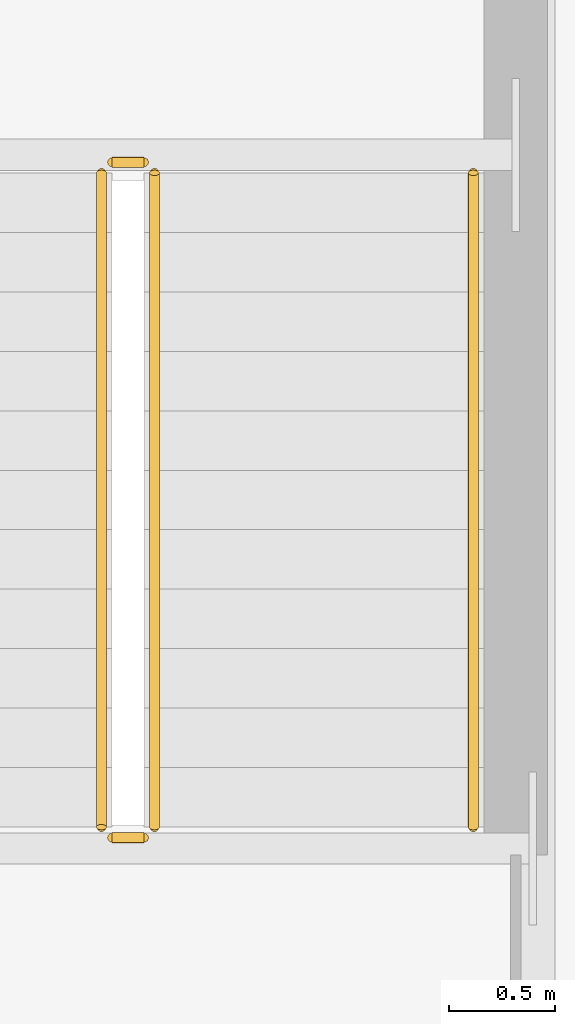
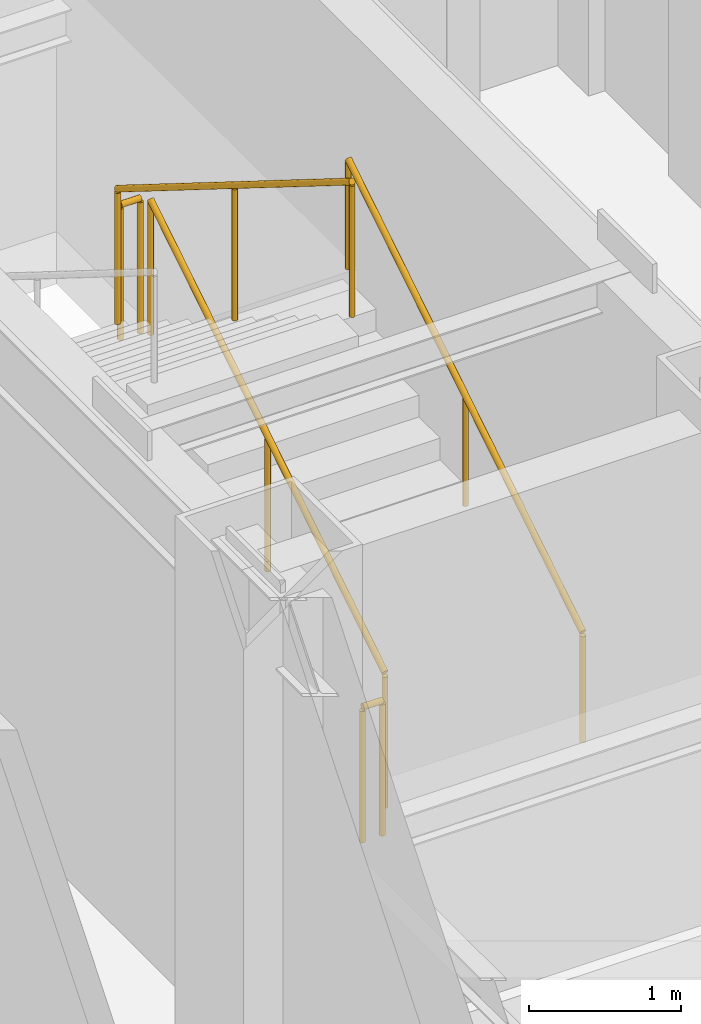
# One storey, part 10 of 11: 5 railings.
"""IFC4 building model written with IfcOpenShell, lengths in metres."""

from ifc_helpers import new_model, si_unit, direction, frame, origin, origin_2d, place, context, subcontext, project, spatial, circle, extrude, material, type_object, element, save


model = new_model("IFC4")

# Units and contexts
model_context = context("Model", 3, precision=1e-05, world=origin(), true_north=direction((0.0, 1.0)))
body_context = subcontext(model_context, "Body", "Model", "MODEL_VIEW")
ifc_project = project(units=[si_unit("LENGTHUNIT", "METRE"), si_unit("AREAUNIT", "SQUARE_METRE"), si_unit("VOLUMEUNIT", "CUBIC_METRE"), si_unit("PLANEANGLEUNIT", "RADIAN"), si_unit("MASSUNIT", "GRAM", prefix="KILO")], contexts=[model_context])

# Site, building, storey
site_placement = place(None, origin())
site = spatial("IfcSite", under=ifc_project, at=site_placement, CompositionType="ELEMENT")
building_placement = place(site_placement, origin())
building = spatial("IfcBuilding", under=site, at=building_placement, Name="Khamvora Tower", CompositionType="ELEMENT")
storey_placement = place(building_placement, frame((0.0, 0.0, 269.449951171875)))
storey = spatial("IfcBuildingStorey", under=building, at=storey_placement, Name="L69", CompositionType="ELEMENT", Elevation=269.449951171875)

# Railings
ifc_material_1 = material(Name="Brushed Stainless Steel 316", Category="steel")
railing_type_1 = type_object("IfcRailingType", Name="RAL-HDR-920", PredefinedType="HANDRAIL", material=ifc_material_1)
railing_1_placement = place(storey_placement, frame((32.449951171875, 29.85009765625, 0.175048828125)))
element("IfcRailing", 1, at=railing_1_placement, inside=storey, type_object=railing_type_1, Name="L69 ST-02 stair handrail 1", PredefinedType="HANDRAIL", context=body_context, shape_type="SweptSolid", body=[
    extrude(circle(Radius=0.02392578125, at=origin_2d()), frame((0.0, 0.0, 0.8759765625), z_axis=(0.0, 0.847979421464, 0.530029150871), x_axis=(-1.0, 0.0, 0.0)), (0.0, 0.0, 1.0), 3.632080078125),
    extrude(circle(Radius=0.02099609375, at=origin_2d()), origin(), (0.0, 0.0, 1.0), 0.851806640625),
    extrude(circle(Radius=0.02099609375, at=origin_2d()), frame((0.0, 1.5400390625, 0.96240234375)), (0.0, 0.0, 1.0), 0.851806640625),
    extrude(circle(Radius=0.02099609375, at=origin_2d()), frame((0.0, 3.079833984375, 1.925048828125)), (0.0, 0.0, 1.0), 0.851806640625),
])
ifc_material_2 = material(Name="Stainless Steel 316", Category="steel")
railing_type_2 = type_object("IfcRailingType", Name="RAL-STG-1100", PredefinedType="GUARDRAIL", material=ifc_material_2)
railing_2_placement = place(storey_placement, frame((30.949951171875, 29.85009765625, 0.175048828125)))
element("IfcRailing", 2, at=railing_2_placement, inside=storey, type_object=railing_type_2, Name="L69 ST-02 stair guard 1", PredefinedType="GUARDRAIL", context=body_context, shape_type="SweptSolid", body=[
    extrude(circle(Radius=0.02392578125, at=origin_2d()), frame((0.0, 0.0, 1.076171875), z_axis=(0.0, 0.847979421464, 0.530029150871), x_axis=(-1.0, 0.0, 0.0)), (0.0, 0.0, 1.0), 3.632080078125),
    extrude(circle(Radius=0.02099609375, at=origin_2d()), origin(), (0.0, 0.0, 1.0), 1.052001953125),
    extrude(circle(Radius=0.02099609375, at=origin_2d()), frame((0.0, 1.5400390625, 0.96240234375)), (0.0, 0.0, 1.0), 1.052001953125),
    extrude(circle(Radius=0.02099609375, at=origin_2d()), frame((0.0, 3.079833984375, 1.925048828125)), (0.0, 0.0, 1.0), 1.052001953125),
])
railing_3_placement = place(storey_placement, frame((30.89990234375, 32.97998046875, 2.10009765625)))
element("IfcRailing", 3, at=railing_3_placement, inside=storey, type_object=railing_type_2, Name="L69 ST-02 stair guard 2", PredefinedType="GUARDRAIL", context=body_context, shape_type="SweptSolid", body=[
    extrude(circle(Radius=0.02392578125, at=origin_2d()), frame((0.0, 0.0, 1.076171875), z_axis=(-1.0, 0.0, 0.0), x_axis=(0.0, -1.0, 0.0)), (0.0, 0.0, 1.0), 0.14990234375),
    extrude(circle(Radius=0.02099609375, at=origin_2d()), origin(), (0.0, 0.0, 1.0), 1.052001953125),
    extrude(circle(Radius=0.02099609375, at=origin_2d()), frame((-0.14990234375, 0.0, 0.0)), (0.0, 0.0, 1.0), 1.052001953125),
])
railing_4_placement = place(storey_placement, frame((30.699951171875, 32.929931640625, 2.275146484375)))
element("IfcRailing", 4, at=railing_4_placement, inside=storey, type_object=railing_type_2, Name="L69 ST-02 stair guard 3", PredefinedType="GUARDRAIL", context=body_context, shape_type="SweptSolid", body=[
    extrude(circle(Radius=0.02392578125, at=origin_2d()), frame((0.0, 0.0, 1.076171875), z_axis=(0.0, -0.848009633417, 0.529980812513), x_axis=(1.0, 0.0, 0.0)), (0.0, 0.0, 1.0), 3.6318359375),
    extrude(circle(Radius=0.02099609375, at=origin_2d()), origin(), (0.0, 0.0, 1.0), 1.052001953125),
    extrude(circle(Radius=0.02099609375, at=origin_2d()), frame((0.0, -1.5400390625, 0.96240234375)), (0.0, 0.0, 1.0), 1.052001953125),
    extrude(circle(Radius=0.02099609375, at=origin_2d()), frame((0.0, -3.079833984375, 1.9248046875)), (0.0, 0.0, 1.0), 1.052001953125),
])
railing_5_placement = place(storey_placement, frame((30.89990234375, 29.800048828125, 0.0)))
element("IfcRailing", 5, at=railing_5_placement, inside=storey, type_object=railing_type_2, Name="L69 ST-02 stair guard 4", PredefinedType="GUARDRAIL", context=body_context, shape_type="SweptSolid", body=[
    extrude(circle(Radius=0.02392578125, at=origin_2d()), frame((0.0, 0.0, 1.076171875), z_axis=(-1.0, 0.0, 0.0), x_axis=(0.0, -1.0, 0.0)), (0.0, 0.0, 1.0), 0.14990234375),
    extrude(circle(Radius=0.02099609375, at=origin_2d()), origin(), (0.0, 0.0, 1.0), 1.052001953125),
    extrude(circle(Radius=0.02099609375, at=origin_2d()), frame((-0.14990234375, 0.0, 0.0)), (0.0, 0.0, 1.0), 1.052001953125),
])

save(model, "model.ifc")
